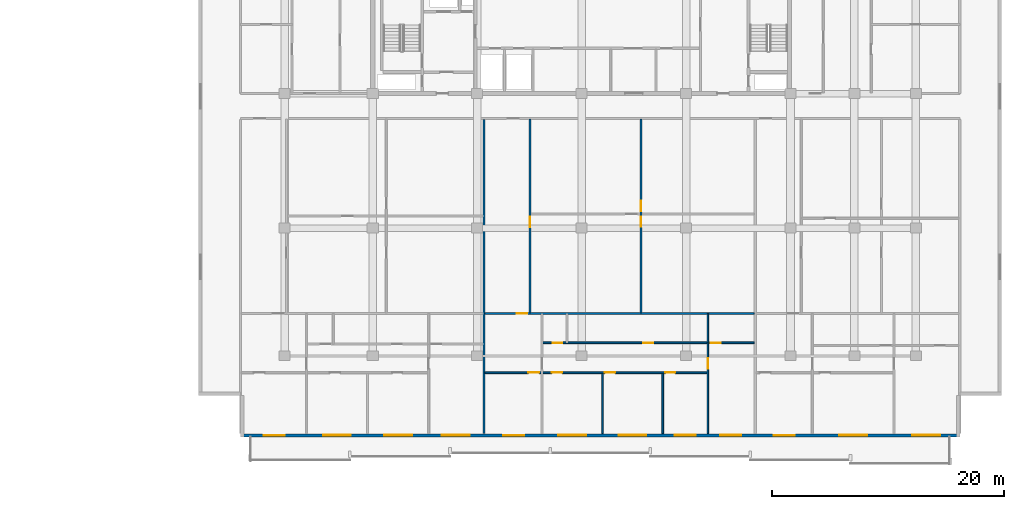
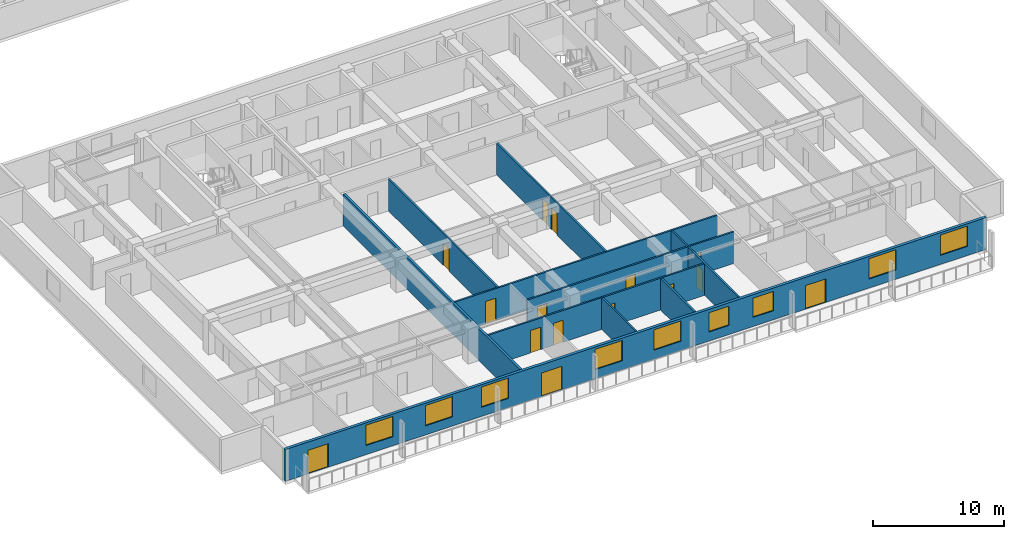
# One storey, part 4 of 23: 15 doors, 11 walls, 9 windows, 24 openings.
"""IFC4 building model written with IfcOpenShell, lengths in metres."""

import ifcopenshell
import ifcopenshell.guid

model = None  # the IFC model being written
_history = None  # IfcOwnerHistory: only IFC2X3 demands one
_inside = {}  # id of a spatial element -> (the spatial element, [elements in it])
_under = {}  # id of a project, library or spatial element -> (it, [spatial elements below it])
_declared = {}  # id of a project -> (the project, [libraries it declares])
_typed = {}  # id of a type object -> (the type object, [elements of that type])
_made_of = {}  # id of a material, layer set ... -> (it, [elements and type objects made of it])


def new_model(schema):
    """Start an empty IFC model of exactly this schema.

    Asked for "IFC4X3", IfcOpenShell would pick the latest addendum, in which some entities
    have other attributes; the version numbers below select the first issue.
    IFC2X3 requires an IfcOwnerHistory on every rooted entity: one is made here for all.
    """
    global model, _history
    if schema == "IFC4X3":
        model = ifcopenshell.file(schema_version=(4, 3, 0, 0))
    else:
        model = ifcopenshell.file(schema=schema)
    _inside.clear()
    _under.clear()
    _declared.clear()
    _typed.clear()
    _made_of.clear()
    _history = None
    if model.schema == "IFC2X3":
        org = make("IfcOrganization", Name="unknown")
        user = make(
            "IfcPersonAndOrganization",
            ThePerson=make("IfcPerson", FamilyName="unknown"),
            TheOrganization=org,
        )
        app = make(
            "IfcApplication",
            ApplicationDeveloper=org,
            Version="unknown",
            ApplicationFullName="unknown",
            ApplicationIdentifier="unknown",
        )
        _history = make(
            "IfcOwnerHistory",
            OwningUser=user,
            OwningApplication=app,
            ChangeAction="ADDED",
            CreationDate=0,
        )
    return model


def make(cls, **values):
    """One entity of the class cls with the attributes given. An attribute that is None is left unset."""
    return model.create_entity(
        cls, **{name: value for name, value in values.items() if value is not None}
    )


def rooted(cls, **values):
    """An entity with a GlobalId (a new one), such as an element, a storey or a relation."""
    return make(cls, GlobalId=ifcopenshell.guid.new(), OwnerHistory=_history, **values)


def si_unit(unit_type, name, prefix=None):
    """IfcSIUnit, for example si_unit("LENGTHUNIT", "METRE", prefix="MILLI")."""
    return make("IfcSIUnit", UnitType=unit_type, Prefix=prefix, Name=name)


def assignment(units):
    """IfcUnitAssignment: the units of a project."""
    return None if units is None else make("IfcUnitAssignment", Units=units)


def point(xyz):
    """IfcCartesianPoint."""
    return None if xyz is None else make("IfcCartesianPoint", Coordinates=xyz)


def direction(xyz):
    """IfcDirection."""
    return None if xyz is None else make("IfcDirection", DirectionRatios=xyz)


def frame(location, z_axis=None, x_axis=None):
    """IfcAxis2Placement3D, a coordinate frame: its origin and axes. An axis left out is left unset."""
    return make(
        "IfcAxis2Placement3D",
        Location=point(location),
        Axis=direction(z_axis),
        RefDirection=direction(x_axis),
    )


def frame_2d(location, x_axis=None):
    """IfcAxis2Placement2D, a coordinate frame in the plane: its origin and x axis."""
    return make(
        "IfcAxis2Placement2D", Location=point(location), RefDirection=direction(x_axis)
    )


def origin():
    """The frame at (0, 0, 0) with its axes left unset."""
    return frame((0.0, 0.0, 0.0))


def place(relative_to, where):
    """IfcLocalPlacement: puts the frame where relative to a parent placement (None: the world)."""
    return make(
        "IfcLocalPlacement", PlacementRelTo=relative_to, RelativePlacement=where
    )


def context(
    kind, dimensions, precision=None, world=None, true_north=None, identifier=None
):
    """IfcGeometricRepresentationContext, for example the 3D "Model" context."""
    return make(
        "IfcGeometricRepresentationContext",
        ContextIdentifier=identifier,
        ContextType=kind,
        CoordinateSpaceDimension=dimensions,
        Precision=precision,
        WorldCoordinateSystem=world,
        TrueNorth=true_north,
    )


def subcontext(parent, identifier, kind, view, scale=None):
    """IfcGeometricRepresentationSubContext, for example "Body" below "Model"."""
    return make(
        "IfcGeometricRepresentationSubContext",
        ContextIdentifier=identifier,
        ContextType=kind,
        ParentContext=parent,
        TargetScale=scale,
        TargetView=view,
    )


def project(units=None, contexts=None):
    """IfcProject with its units and contexts."""
    return rooted(
        "IfcProject",
        Name="project",
        RepresentationContexts=contexts,
        UnitsInContext=assignment(units),
    )


def spatial(cls, under=None, at=None, **own):
    """A site, building, storey or space (cls), placed at a placement, below another one or the project."""
    s = rooted(cls, ObjectPlacement=at, **own)
    if under is not None:
        _under.setdefault(under.id(), (under, []))[1].append(s)
    return s


def profile(cls, at=None, kind="AREA", **sizes):
    """A parametric profile (cls). Its sizes go by their IFC names, for example OverallWidth=200.0."""
    return make(cls, ProfileType=kind, Position=at, **sizes)


def rectangle(**sizes):
    """IfcRectangleProfileDef."""
    return profile("IfcRectangleProfileDef", **sizes)


def extrude(swept, where, along, depth):
    """IfcExtrudedAreaSolid: the profile swept, set in the frame where, extruded along a direction by depth."""
    return make(
        "IfcExtrudedAreaSolid",
        SweptArea=swept,
        Position=where,
        ExtrudedDirection=direction(along),
        Depth=depth,
    )


def shape(context_of_items, identifier, shape_type, items):
    """IfcShapeRepresentation: the items that make up one representation, for example the "Body"."""
    return make(
        "IfcShapeRepresentation",
        ContextOfItems=context_of_items,
        RepresentationIdentifier=identifier,
        RepresentationType=shape_type,
        Items=items,
    )


def material(Name=None, Category=None):
    """IfcMaterial."""
    return make("IfcMaterial", Name=Name, Category=Category)


def layer(
    of_material, thickness, ventilated=None, Name=None, Category=None, Priority=None
):
    """IfcMaterialLayer: one layer of a wall or slab, of a material (None: an air gap)."""
    return make(
        "IfcMaterialLayer",
        Material=of_material,
        LayerThickness=thickness,
        IsVentilated=ventilated,
        Name=Name,
        Category=Category,
        Priority=Priority,
    )


def layer_set(layers, Name=None):
    """IfcMaterialLayerSet."""
    return make("IfcMaterialLayerSet", MaterialLayers=layers, LayerSetName=Name)


def made_of(thing, what):
    """Note that an element or type object is made of a material, layer set ...; save() writes the relation."""
    if what is not None:
        _made_of.setdefault(what.id(), (what, []))[1].append(thing)
    return thing


def type_object(cls, material=None, **own):
    """A type object (cls), such as IfcWallType, which elements share."""
    return made_of(rooted(cls, **own), material)


def element(
    cls,
    number,
    at=None,
    inside=None,
    cuts=None,
    type_object=None,
    material=None,
    context=None,
    identifier="Body",
    shape_type=None,
    held_by="IfcProductDefinitionShape",
    body=None,
    shapes=None,
    **own,
):
    """One element of the class cls, such as IfcWall. Its Tag is "e" and its number.

    at: its placement. inside: the storey or other place that contains it. cuts: it is an
    opening in that element (IfcRelVoidsElement). A single representation is given by context,
    identifier, shape_type and body (its items); several are given by shapes. held_by: the class
    of the entity that holds the representations. save() writes the other relations.
    """
    e = rooted(cls, Tag="e%d" % number, ObjectPlacement=at, **own)
    if body is not None:
        shapes = [shape(context, identifier, shape_type, body)]
    if shapes is not None:
        e.Representation = make(held_by, Representations=shapes)
    if inside is not None:
        _inside.setdefault(inside.id(), (inside, []))[1].append(e)
    if cuts is not None:
        rooted(
            "IfcRelVoidsElement", RelatingBuildingElement=cuts, RelatedOpeningElement=e
        )
    if type_object is not None:
        _typed.setdefault(type_object.id(), (type_object, []))[1].append(e)
    return made_of(e, material)


def fill(opening, filler):
    """IfcRelFillsElement: the door or window that sits in an opening."""
    return rooted(
        "IfcRelFillsElement",
        RelatingOpeningElement=opening,
        RelatedBuildingElement=filler,
    )


def aggregate(whole, parts):
    """IfcRelAggregates: a whole, such as a stair, and the parts it consists of."""
    return rooted("IfcRelAggregates", RelatingObject=whole, RelatedObjects=parts)


def save(model, path):
    """Write the relations noted so far, then the file.

    IfcRelAggregates (storeys below a building ...), IfcRelContainedInSpatialStructure (elements
    in a storey), IfcRelDefinesByType, IfcRelAssociatesMaterial and IfcRelDeclares: one each for
    every whole, place, type object, material and project.
    """
    for whole, parts in _under.values():
        aggregate(whole, parts)
    for where, things in _inside.values():
        rooted(
            "IfcRelContainedInSpatialStructure",
            RelatedElements=things,
            RelatingStructure=where,
        )
    for kind, things in _typed.values():
        rooted("IfcRelDefinesByType", RelatedObjects=things, RelatingType=kind)
    for what, things in _made_of.values():
        rooted("IfcRelAssociatesMaterial", RelatedObjects=things, RelatingMaterial=what)
    for by, libraries in _declared.values():
        rooted("IfcRelDeclares", RelatingContext=by, RelatedDefinitions=libraries)
    model.write(path)


model = new_model("IFC4")

# Units and contexts
model_context = context("Model", 3, precision=1e-05, world=origin(), true_north=direction((0.0, 1.0)))
body_context = subcontext(model_context, "Body", "Model", "MODEL_VIEW")
ifc_project = project(units=[si_unit("LENGTHUNIT", "METRE"), si_unit("AREAUNIT", "SQUARE_METRE"), si_unit("VOLUMEUNIT", "CUBIC_METRE"), si_unit("PLANEANGLEUNIT", "RADIAN"), si_unit("MASSUNIT", "GRAM", prefix="KILO")], contexts=[model_context])

# Site, building, storey
site_placement = place(None, origin())
site = spatial("IfcSite", under=ifc_project, at=site_placement, CompositionType="ELEMENT")
building_placement = place(site_placement, origin())
building = spatial("IfcBuilding", under=site, at=building_placement, Name="Korimba Cascade Residences", CompositionType="ELEMENT")
storey_placement = place(building_placement, frame((0.0, 0.0, 53.25)))
storey = spatial("IfcBuildingStorey", under=building, at=storey_placement, Name="L14", CompositionType="ELEMENT", Elevation=53.25)

# Wall, openings, doors, windows
ifc_material_1 = material(Name="Precast concrete C40/50", Category="concrete")
ifc_layer_1 = layer(ifc_material_1, 0.25)
ifc_layer_set_1 = layer_set([ifc_layer_1], Name="Precast concrete C40/50")
wall_type_1 = type_object("IfcWallType", Name="EW-LOG-250", PredefinedType="STANDARD", material=ifc_layer_set_1)
wall_1_placement = place(storey_placement, frame((70.699951171875, -11.050048828125, 0.0), z_axis=(0.0, 0.0, 1.0), x_axis=(1.0, 0.0, 0.0)))
wall_1 = element("IfcWall", 1, at=wall_1_placement, inside=storey, type_object=wall_type_1, Name="L14 T2 Perimeter Stone Wall E00", PredefinedType="STANDARD", context=body_context, shape_type="SweptSolid", body=[
    extrude(rectangle(XDim=62.0, YDim=0.25, at=frame_2d((31.0, 0.0))), origin(), (0.0, 0.0, 1.0), 2.969970703125),
])
opening_1_placement = place(wall_1_placement, frame((7.114501953125, 0.0, 0.85009765625)))
opening_1 = element("IfcOpeningElement", 2, at=opening_1_placement, cuts=wall_1, Name="Opening W-01", PredefinedType="OPENING", context=body_context, shape_type="SweptSolid", body=[
    extrude(rectangle(XDim=2.39990234375, YDim=1.89990234375, at=frame_2d((1.199951171875, 0.949951171875))), frame((0.0, 0.135009765625, 0.0), z_axis=(0.0, -1.0, 0.0), x_axis=(1.0, 0.0, 0.0)), (0.0, 0.0, 1.0), 0.27001953125),
])
opening_2_placement = place(wall_1_placement, frame((12.3837890625, 0.0, 0.85009765625)))
opening_2 = element("IfcOpeningElement", 3, at=opening_2_placement, cuts=wall_1, Name="Opening W-01", PredefinedType="OPENING", context=body_context, shape_type="SweptSolid", body=[
    extrude(rectangle(XDim=2.39990234375, YDim=1.89990234375, at=frame_2d((1.199951171875, 0.949951171875))), frame((0.0, 0.135009765625, 0.0), z_axis=(0.0, -1.0, 0.0), x_axis=(1.0, 0.0, 0.0)), (0.0, 0.0, 1.0), 0.27001953125),
])
opening_3_placement = place(wall_1_placement, frame((2.0, 0.0, 0.0)))
opening_3 = element("IfcOpeningElement", 4, at=opening_3_placement, cuts=wall_1, Name="Opening D-LG1", PredefinedType="OPENING", context=body_context, shape_type="SweptSolid", body=[
    extrude(rectangle(XDim=1.800048828125, YDim=2.199951171875, at=frame_2d((0.89990234375, 1.10009765625))), frame((0.0, 0.135009765625, 0.0), z_axis=(0.0, -1.0, 0.0), x_axis=(1.0, 0.0, 0.0)), (0.0, 0.0, 1.0), 0.27001953125),
])
opening_4_placement = place(wall_1_placement, frame((17.343505859375, 0.0, 0.85009765625)))
opening_4 = element("IfcOpeningElement", 5, at=opening_4_placement, cuts=wall_1, Name="Opening W-01", PredefinedType="OPENING", context=body_context, shape_type="SweptSolid", body=[
    extrude(rectangle(XDim=2.39990234375, YDim=1.89990234375, at=frame_2d((1.199951171875, 0.949951171875))), frame((0.0, 0.135009765625, 0.0), z_axis=(0.0, -1.0, 0.0), x_axis=(1.0, 0.0, 0.0)), (0.0, 0.0, 1.0), 0.27001953125),
])
opening_5_placement = place(wall_1_placement, frame((27.388427734375, 0.0, 0.85009765625)))
opening_5 = element("IfcOpeningElement", 6, at=opening_5_placement, cuts=wall_1, Name="Opening W-01", PredefinedType="OPENING", context=body_context, shape_type="SweptSolid", body=[
    extrude(rectangle(XDim=2.39990234375, YDim=1.89990234375, at=frame_2d((1.199951171875, 0.949951171875))), frame((0.0, 0.135009765625, 0.0), z_axis=(0.0, -1.0, 0.0), x_axis=(1.0, 0.0, 0.0)), (0.0, 0.0, 1.0), 0.27001953125),
])
opening_6_placement = place(wall_1_placement, frame((32.58837890625, 0.0, 0.85009765625)))
opening_6 = element("IfcOpeningElement", 7, at=opening_6_placement, cuts=wall_1, Name="Opening W-01", PredefinedType="OPENING", context=body_context, shape_type="SweptSolid", body=[
    extrude(rectangle(XDim=2.39990234375, YDim=1.89990234375, at=frame_2d((1.199951171875, 0.949951171875))), frame((0.0, 0.135009765625, 0.0), z_axis=(0.0, -1.0, 0.0), x_axis=(1.0, 0.0, 0.0)), (0.0, 0.0, 1.0), 0.27001953125),
])
opening_7_placement = place(wall_1_placement, frame((37.434326171875, 0.0, 0.85009765625)))
opening_7 = element("IfcOpeningElement", 8, at=opening_7_placement, cuts=wall_1, Name="Opening W-02", PredefinedType="OPENING", context=body_context, shape_type="SweptSolid", body=[
    extrude(rectangle(XDim=1.800048828125, YDim=1.800048828125, at=frame_2d((0.89990234375, 0.89990234375))), frame((0.0, 0.135009765625, 0.0), z_axis=(0.0, -1.0, 0.0), x_axis=(1.0, 0.0, 0.0)), (0.0, 0.0, 1.0), 0.27001953125),
])
opening_8_placement = place(wall_1_placement, frame((22.6484375, 0.0, 0.0)))
opening_8 = element("IfcOpeningElement", 9, at=opening_8_placement, cuts=wall_1, Name="Opening D-LG1", PredefinedType="OPENING", context=body_context, shape_type="SweptSolid", body=[
    extrude(rectangle(XDim=1.800048828125, YDim=2.199951171875, at=frame_2d((0.89990234375, 1.10009765625))), frame((0.0, 0.135009765625, 0.0), z_axis=(0.0, -1.0, 0.0), x_axis=(1.0, 0.0, 0.0)), (0.0, 0.0, 1.0), 0.27001953125),
])
opening_9_placement = place(wall_1_placement, frame((41.35791015625, 0.0, 0.85009765625)))
opening_9 = element("IfcOpeningElement", 10, at=opening_9_placement, cuts=wall_1, Name="Opening W-02", PredefinedType="OPENING", context=body_context, shape_type="SweptSolid", body=[
    extrude(rectangle(XDim=1.800048828125, YDim=1.800048828125, at=frame_2d((0.89990234375, 0.89990234375))), frame((0.0, 0.135009765625, 0.0), z_axis=(0.0, -1.0, 0.0), x_axis=(1.0, 0.0, 0.0)), (0.0, 0.0, 1.0), 0.27001953125),
])
opening_10_placement = place(wall_1_placement, frame((51.60009765625, 0.0, 0.85009765625)))
opening_10 = element("IfcOpeningElement", 11, at=opening_10_placement, cuts=wall_1, Name="Opening W-01", PredefinedType="OPENING", context=body_context, shape_type="SweptSolid", body=[
    extrude(rectangle(XDim=2.39990234375, YDim=1.89990234375, at=frame_2d((1.199951171875, 0.949951171875))), frame((0.0, 0.135009765625, 0.0), z_axis=(0.0, -1.0, 0.0), x_axis=(1.0, 0.0, 0.0)), (0.0, 0.0, 1.0), 0.27001953125),
])
opening_11_placement = place(wall_1_placement, frame((45.977783203125, 0.0, 0.0)))
opening_11 = element("IfcOpeningElement", 12, at=opening_11_placement, cuts=wall_1, Name="Opening D-LG1", PredefinedType="OPENING", context=body_context, shape_type="SweptSolid", body=[
    extrude(rectangle(XDim=1.800048828125, YDim=2.199951171875, at=frame_2d((0.89990234375, 1.10009765625))), frame((0.0, 0.135009765625, 0.0), z_axis=(0.0, -1.0, 0.0), x_axis=(1.0, 0.0, 0.0)), (0.0, 0.0, 1.0), 0.27001953125),
])
opening_12_placement = place(wall_1_placement, frame((57.89990234375, 0.0, 0.85009765625)))
opening_12 = element("IfcOpeningElement", 13, at=opening_12_placement, cuts=wall_1, Name="Opening W-01", PredefinedType="OPENING", context=body_context, shape_type="SweptSolid", body=[
    extrude(rectangle(XDim=2.39990234375, YDim=1.89990234375, at=frame_2d((1.199951171875, 0.949951171875))), frame((0.0, 0.135009765625, 0.0), z_axis=(0.0, -1.0, 0.0), x_axis=(1.0, 0.0, 0.0)), (0.0, 0.0, 1.0), 0.27001953125),
])
ifc_material_2 = material(Name="Glazed Aluminium Loggia Sliding Door", Category="aluminium")
door_type_1 = type_object("IfcDoorType", Name="DR-EXT-LOG", OperationType="NOTDEFINED", PredefinedType="DOOR", material=ifc_material_2)
door_1_placement = place(opening_3_placement, origin())
door_1 = element("IfcDoor", 14, at=door_1_placement, inside=storey, type_object=door_type_1, Name="L14 T2 Loggia Sliding Door 5", OperationType="SLIDING_TO_RIGHT", OverallHeight=2.199951171875, OverallWidth=1.800048828125, PredefinedType="DOOR", context=body_context, shape_type="SweptSolid", body=[
    extrude(rectangle(XDim=1.800048828125, YDim=2.199951171875, at=frame_2d((0.89990234375, 1.10009765625))), frame((0.0, 0.02490234375, 0.0), z_axis=(0.0, -1.0, 0.0), x_axis=(1.0, 0.0, 0.0)), (0.0, 0.0, 1.0), 0.050048828125),
])
fill(opening_3, door_1)
door_2_placement = place(opening_8_placement, origin())
door_2 = element("IfcDoor", 15, at=door_2_placement, inside=storey, type_object=door_type_1, Name="L14 T2 Loggia Sliding Door 10", OperationType="SLIDING_TO_RIGHT", OverallHeight=2.199951171875, OverallWidth=1.800048828125, PredefinedType="DOOR", context=body_context, shape_type="SweptSolid", body=[
    extrude(rectangle(XDim=1.800048828125, YDim=2.199951171875, at=frame_2d((0.89990234375, 1.10009765625))), frame((0.0, 0.02490234375, 0.0), z_axis=(0.0, -1.0, 0.0), x_axis=(1.0, 0.0, 0.0)), (0.0, 0.0, 1.0), 0.050048828125),
])
fill(opening_8, door_2)
door_3_placement = place(opening_11_placement, origin())
door_3 = element("IfcDoor", 16, at=door_3_placement, inside=storey, type_object=door_type_1, Name="L14 T2 Loggia Sliding Door 13", OperationType="SLIDING_TO_RIGHT", OverallHeight=2.199951171875, OverallWidth=1.800048828125, PredefinedType="DOOR", context=body_context, shape_type="SweptSolid", body=[
    extrude(rectangle(XDim=1.800048828125, YDim=2.199951171875, at=frame_2d((0.89990234375, 1.10009765625))), frame((0.0, 0.02490234375, 0.0), z_axis=(0.0, -1.0, 0.0), x_axis=(1.0, 0.0, 0.0)), (0.0, 0.0, 1.0), 0.050048828125),
])
fill(opening_11, door_3)
ifc_material_3 = material(Name="Double-Glazed Aluminium Window", Category="aluminium")
window_type_1 = type_object("IfcWindowType", Name="WIN-BED-1800", PartitioningType="SINGLE_PANEL", PredefinedType="WINDOW", material=ifc_material_3)
window_1_placement = place(opening_7_placement, origin())
window_1 = element("IfcWindow", 17, at=window_1_placement, inside=storey, type_object=window_type_1, Name="L14 T2 South Facade Window 9", OverallHeight=1.800048828125, OverallWidth=1.800048828125, PartitioningType="SINGLE_PANEL", PredefinedType="WINDOW", context=body_context, shape_type="SweptSolid", body=[
    extrude(rectangle(XDim=1.800048828125, YDim=1.800048828125, at=frame_2d((0.89990234375, 0.89990234375))), frame((0.0, 0.030029296875, 0.0), z_axis=(0.0, -1.0, 0.0), x_axis=(1.0, 0.0, 0.0)), (0.0, 0.0, 1.0), 0.06005859375),
])
fill(opening_7, window_1)
window_2_placement = place(opening_9_placement, origin())
window_2 = element("IfcWindow", 18, at=window_2_placement, inside=storey, type_object=window_type_1, Name="L14 T2 South Facade Window 11", OverallHeight=1.800048828125, OverallWidth=1.800048828125, PartitioningType="SINGLE_PANEL", PredefinedType="WINDOW", context=body_context, shape_type="SweptSolid", body=[
    extrude(rectangle(XDim=1.800048828125, YDim=1.800048828125, at=frame_2d((0.89990234375, 0.89990234375))), frame((0.0, 0.030029296875, 0.0), z_axis=(0.0, -1.0, 0.0), x_axis=(1.0, 0.0, 0.0)), (0.0, 0.0, 1.0), 0.06005859375),
])
fill(opening_9, window_2)
window_type_2 = type_object("IfcWindowType", Name="WIN-RES-2400", PartitioningType="DOUBLE_PANEL_VERTICAL", PredefinedType="WINDOW", material=ifc_material_3)
window_3_placement = place(opening_1_placement, origin())
window_3 = element("IfcWindow", 19, at=window_3_placement, inside=storey, type_object=window_type_2, Name="L14 T2 South Facade Window 3", OverallHeight=1.89990234375, OverallWidth=2.39990234375, PartitioningType="DOUBLE_PANEL_VERTICAL", PredefinedType="WINDOW", context=body_context, shape_type="SweptSolid", body=[
    extrude(rectangle(XDim=2.39990234375, YDim=1.89990234375, at=frame_2d((1.199951171875, 0.949951171875))), frame((0.0, 0.030029296875, 0.0), z_axis=(0.0, -1.0, 0.0), x_axis=(1.0, 0.0, 0.0)), (0.0, 0.0, 1.0), 0.06005859375),
])
fill(opening_1, window_3)
window_4_placement = place(opening_2_placement, origin())
window_4 = element("IfcWindow", 20, at=window_4_placement, inside=storey, type_object=window_type_2, Name="L14 T2 South Facade Window 4", OverallHeight=1.89990234375, OverallWidth=2.39990234375, PartitioningType="DOUBLE_PANEL_VERTICAL", PredefinedType="WINDOW", context=body_context, shape_type="SweptSolid", body=[
    extrude(rectangle(XDim=2.39990234375, YDim=1.89990234375, at=frame_2d((1.199951171875, 0.949951171875))), frame((0.0, 0.030029296875, 0.0), z_axis=(0.0, -1.0, 0.0), x_axis=(1.0, 0.0, 0.0)), (0.0, 0.0, 1.0), 0.06005859375),
])
fill(opening_2, window_4)
window_5_placement = place(opening_4_placement, origin())
window_5 = element("IfcWindow", 21, at=window_5_placement, inside=storey, type_object=window_type_2, Name="L14 T2 South Facade Window 6", OverallHeight=1.89990234375, OverallWidth=2.39990234375, PartitioningType="DOUBLE_PANEL_VERTICAL", PredefinedType="WINDOW", context=body_context, shape_type="SweptSolid", body=[
    extrude(rectangle(XDim=2.39990234375, YDim=1.89990234375, at=frame_2d((1.199951171875, 0.949951171875))), frame((0.0, 0.030029296875, 0.0), z_axis=(0.0, -1.0, 0.0), x_axis=(1.0, 0.0, 0.0)), (0.0, 0.0, 1.0), 0.06005859375),
])
fill(opening_4, window_5)
window_6_placement = place(opening_5_placement, origin())
window_6 = element("IfcWindow", 22, at=window_6_placement, inside=storey, type_object=window_type_2, Name="L14 T2 South Facade Window 7", OverallHeight=1.89990234375, OverallWidth=2.39990234375, PartitioningType="DOUBLE_PANEL_VERTICAL", PredefinedType="WINDOW", context=body_context, shape_type="SweptSolid", body=[
    extrude(rectangle(XDim=2.39990234375, YDim=1.89990234375, at=frame_2d((1.199951171875, 0.949951171875))), frame((0.0, 0.030029296875, 0.0), z_axis=(0.0, -1.0, 0.0), x_axis=(1.0, 0.0, 0.0)), (0.0, 0.0, 1.0), 0.06005859375),
])
fill(opening_5, window_6)
window_7_placement = place(opening_6_placement, origin())
window_7 = element("IfcWindow", 23, at=window_7_placement, inside=storey, type_object=window_type_2, Name="L14 T2 South Facade Window 8", OverallHeight=1.89990234375, OverallWidth=2.39990234375, PartitioningType="DOUBLE_PANEL_VERTICAL", PredefinedType="WINDOW", context=body_context, shape_type="SweptSolid", body=[
    extrude(rectangle(XDim=2.39990234375, YDim=1.89990234375, at=frame_2d((1.199951171875, 0.949951171875))), frame((0.0, 0.030029296875, 0.0), z_axis=(0.0, -1.0, 0.0), x_axis=(1.0, 0.0, 0.0)), (0.0, 0.0, 1.0), 0.06005859375),
])
fill(opening_6, window_7)
window_8_placement = place(opening_10_placement, origin())
window_8 = element("IfcWindow", 24, at=window_8_placement, inside=storey, type_object=window_type_2, Name="L14 T2 South Facade Window 12", OverallHeight=1.89990234375, OverallWidth=2.39990234375, PartitioningType="DOUBLE_PANEL_VERTICAL", PredefinedType="WINDOW", context=body_context, shape_type="SweptSolid", body=[
    extrude(rectangle(XDim=2.39990234375, YDim=1.89990234375, at=frame_2d((1.199951171875, 0.949951171875))), frame((0.0, 0.030029296875, 0.0), z_axis=(0.0, -1.0, 0.0), x_axis=(1.0, 0.0, 0.0)), (0.0, 0.0, 1.0), 0.06005859375),
])
fill(opening_10, window_8)
window_9_placement = place(opening_12_placement, origin())
window_9 = element("IfcWindow", 25, at=window_9_placement, inside=storey, type_object=window_type_2, Name="L14 T2 South Facade Window 14", OverallHeight=1.89990234375, OverallWidth=2.39990234375, PartitioningType="DOUBLE_PANEL_VERTICAL", PredefinedType="WINDOW", context=body_context, shape_type="SweptSolid", body=[
    extrude(rectangle(XDim=2.39990234375, YDim=1.89990234375, at=frame_2d((1.199951171875, 0.949951171875))), frame((0.0, 0.030029296875, 0.0), z_axis=(0.0, -1.0, 0.0), x_axis=(1.0, 0.0, 0.0)), (0.0, 0.0, 1.0), 0.06005859375),
])
fill(opening_12, window_9)

# Wall
ifc_layer_2 = layer(ifc_material_1, 0.199951171875)
ifc_layer_set_2 = layer_set([ifc_layer_2], Name="Precast concrete C40/50")
wall_type_2 = type_object("IfcWallType", Name="WAL-IT-200", PredefinedType="PARTITIONING", material=ifc_layer_set_2)
wall_2_placement = place(storey_placement, frame((91.6884765625, -10.89990234375, 0.0), z_axis=(0.0, 0.0, 1.0), x_axis=(0.0, 1.0, 0.0)))
element("IfcWall", 26, at=wall_2_placement, inside=storey, type_object=wall_type_2, Name="L14 Partition Wall WAL-L14-T2-DEM-1", PredefinedType="PARTITIONING", context=body_context, shape_type="SweptSolid", body=[
    extrude(rectangle(XDim=27.06982421875, YDim=0.199951171875, at=frame_2d((13.534912109375, 0.0))), origin(), (0.0, 0.0, 1.0), 2.969970703125),
])

# Wall, openings, doors
ifc_material_4 = material(Name="Insulated Acoustic Stud Partition", Category="gypsum")
ifc_layer_3 = layer(ifc_material_4, 0.14990234375)
ifc_layer_set_3 = layer_set([ifc_layer_3], Name="Insulated Acoustic Stud Partition")
wall_type_3 = type_object("IfcWallType", Name="WAL-PART-150", PredefinedType="PARTITIONING", material=ifc_layer_set_3)
wall_3_placement = place(storey_placement, frame((105.227294921875, -0.510009765625, 0.0), z_axis=(0.0, 0.0, 1.0), x_axis=(0.0, 1.0, 0.0)))
wall_3 = element("IfcWall", 27, at=wall_3_placement, inside=storey, type_object=wall_type_3, Name="L14 Partition Wall WAL-L14-T2-U02-FMV", PredefinedType="PARTITIONING", context=body_context, shape_type="SweptSolid", body=[
    extrude(rectangle(XDim=16.699951171875, YDim=0.14990234375, at=frame_2d((8.35009765625, 0.0))), origin(), (0.0, 0.0, 1.0), 2.969970703125),
])
opening_13_placement = place(wall_3_placement, frame((7.43994140625, 0.0, 0.0)))
opening_13 = element("IfcOpeningElement", 28, at=opening_13_placement, cuts=wall_3, Name="Opening D-BT1", PredefinedType="OPENING", context=body_context, shape_type="SweptSolid", body=[
    extrude(rectangle(XDim=0.840087890625, YDim=2.0400390625, at=frame_2d((0.419921875, 1.02001953125))), frame((0.0, 0.0849609375, 0.0), z_axis=(0.0, -1.0, 0.0), x_axis=(1.0, 0.0, 0.0)), (0.0, 0.0, 1.0), 0.169921875),
])
opening_14_placement = place(wall_3_placement, frame((8.780029296875, 0.0, 0.0)))
opening_14 = element("IfcOpeningElement", 29, at=opening_14_placement, cuts=wall_3, Name="Opening D-IN2", PredefinedType="OPENING", context=body_context, shape_type="SweptSolid", body=[
    extrude(rectangle(XDim=0.8798828125, YDim=2.06005859375, at=frame_2d((0.43994140625, 1.030029296875))), frame((0.0, 0.0849609375, 0.0), z_axis=(0.0, -1.0, 0.0), x_axis=(1.0, 0.0, 0.0)), (0.0, 0.0, 1.0), 0.169921875),
])
ifc_material_5 = material(Name="Moisture-Resistant Bathroom Timber Door", Category="wood")
door_type_2 = type_object("IfcDoorType", Name="DR-INT-850", OperationType="NOTDEFINED", PredefinedType="DOOR", material=ifc_material_5)
door_4_placement = place(opening_13_placement, origin())
door_4 = element("IfcDoor", 30, at=door_4_placement, inside=storey, type_object=door_type_2, Name="L14-T2-U02 Wardrobe Door", OperationType="SINGLE_SWING_RIGHT", OverallHeight=2.0400390625, OverallWidth=0.840087890625, PredefinedType="DOOR", context=body_context, shape_type="SweptSolid", body=[
    extrude(rectangle(XDim=0.840087890625, YDim=2.0400390625, at=frame_2d((0.419921875, 1.02001953125))), frame((0.0, 0.02490234375, 0.0), z_axis=(0.0, -1.0, 0.0), x_axis=(1.0, 0.0, 0.0)), (0.0, 0.0, 1.0), 0.050048828125),
])
fill(opening_13, door_4)
ifc_material_6 = material(Name="Acoustic Timber Bedroom Door", Category="wood")
door_type_3 = type_object("IfcDoorType", Name="DR-INT-880", OperationType="NOTDEFINED", PredefinedType="DOOR", material=ifc_material_6)
door_5_placement = place(opening_14_placement, origin())
door_5 = element("IfcDoor", 31, at=door_5_placement, inside=storey, type_object=door_type_3, Name="L14-T2-U02 Music Lounge Door", OperationType="SINGLE_SWING_LEFT", OverallHeight=2.06005859375, OverallWidth=0.8798828125, PredefinedType="DOOR", context=body_context, shape_type="SweptSolid", body=[
    extrude(rectangle(XDim=0.8798828125, YDim=2.06005859375, at=frame_2d((0.43994140625, 1.030029296875))), frame((0.0, 0.02490234375, 0.0), z_axis=(0.0, -1.0, 0.0), x_axis=(1.0, 0.0, 0.0)), (0.0, 0.0, 1.0), 0.050048828125),
])
fill(opening_14, door_5)

# Wall, opening, door
wall_4_placement = place(storey_placement, frame((95.658447265625, -0.510009765625, 0.0), z_axis=(0.0, 0.0, 1.0), x_axis=(0.0, 1.0, 0.0)))
wall_4 = element("IfcWall", 32, at=wall_4_placement, inside=storey, type_object=wall_type_3, Name="L14 Partition Wall WAL-L14-T2-U02-FV", PredefinedType="PARTITIONING", context=body_context, shape_type="SweptSolid", body=[
    extrude(rectangle(XDim=16.699951171875, YDim=0.14990234375, at=frame_2d((8.35009765625, 0.0))), origin(), (0.0, 0.0, 1.0), 2.969970703125),
])
opening_15_placement = place(wall_4_placement, frame((7.39990234375, 0.0, 0.0)))
opening_15 = element("IfcOpeningElement", 33, at=opening_15_placement, cuts=wall_4, Name="Opening D-IN2", PredefinedType="OPENING", context=body_context, shape_type="SweptSolid", body=[
    extrude(rectangle(XDim=0.8798828125, YDim=2.06005859375, at=frame_2d((0.43994140625, 1.030029296875))), frame((0.0, 0.0849609375, 0.0), z_axis=(0.0, -1.0, 0.0), x_axis=(1.0, 0.0, 0.0)), (0.0, 0.0, 1.0), 0.169921875),
])
door_6_placement = place(opening_15_placement, origin())
door_6 = element("IfcDoor", 34, at=door_6_placement, inside=storey, type_object=door_type_3, Name="L14-T2-U02 Media Lounge Door", OperationType="SINGLE_SWING_LEFT", OverallHeight=2.06005859375, OverallWidth=0.8798828125, PredefinedType="DOOR", context=body_context, shape_type="SweptSolid", body=[
    extrude(rectangle(XDim=0.8798828125, YDim=2.06005859375, at=frame_2d((0.43994140625, 1.030029296875))), frame((0.0, 0.02490234375, 0.0), z_axis=(0.0, -1.0, 0.0), x_axis=(1.0, 0.0, 0.0)), (0.0, 0.0, 1.0), 0.050048828125),
])
fill(opening_15, door_6)

# Walls
for number, where, z_axis, x_axis, name in (
    (35, (101.888427734375, -10.89990234375, 0.0), (0.0, 0.0, 1.0), (0.0, 1.0, 0.0), "L14 Partition Wall WAL-L14-T2-U02-VB2"),
    (36, (107.08837890625, -10.89990234375, 0.0), (0.0, 0.0, 1.0), (0.0, 1.0, 0.0), "L14 Partition Wall WAL-L14-T2-U02-VB3"),
):
    element("IfcWall", number, at=place(storey_placement, frame(where, z_axis=z_axis, x_axis=x_axis)), inside=storey, type_object=wall_type_3, Name=name, PredefinedType="PARTITIONING", context=body_context, shape_type="SweptSolid", body=[
        extrude(rectangle(XDim=5.169921875, YDim=0.14990234375, at=frame_2d((2.5849609375, 0.0))), origin(), (0.0, 0.0, 1.0), 2.969970703125),
    ])
wall_5_placement = place(storey_placement, frame((110.97998046875, -3.06005859375, 0.0), z_axis=(0.0, 0.0, 1.0), x_axis=(0.0, 1.0, 0.0)))
element("IfcWall", 37, at=wall_5_placement, inside=storey, type_object=wall_type_3, Name="L14 Partition Wall WAL-L14-T2-U02-VBATH", PredefinedType="PARTITIONING", context=body_context, shape_type="SweptSolid", body=[
    extrude(rectangle(XDim=2.469970703125, YDim=0.14990234375, at=frame_2d((1.23486328125, 0.0))), origin(), (0.0, 0.0, 1.0), 2.969970703125),
])

# Wall, opening, door
wall_6_placement = place(storey_placement, frame((110.97998046875, -10.89990234375, 0.0), z_axis=(0.0, 0.0, 1.0), x_axis=(0.0, 1.0, 0.0)))
wall_6 = element("IfcWall", 38, at=wall_6_placement, inside=storey, type_object=wall_type_3, Name="L14 Partition Wall WAL-L14-T2-U02-V2FULL", PredefinedType="PARTITIONING", context=body_context, shape_type="SweptSolid", body=[
    extrude(rectangle(XDim=7.7998046875, YDim=0.14990234375, at=frame_2d((3.89990234375, 0.0))), origin(), (0.0, 0.0, 1.0), 2.969970703125),
])
opening_16_placement = place(wall_6_placement, frame((5.570068359375, 0.0, 0.0)))
opening_16 = element("IfcOpeningElement", 39, at=opening_16_placement, cuts=wall_6, Name="Opening D-IN1", PredefinedType="OPENING", context=body_context, shape_type="SweptSolid", body=[
    extrude(rectangle(XDim=0.919921875, YDim=2.080078125, at=frame_2d((0.4599609375, 1.0400390625))), frame((0.0, 0.0849609375, 0.0), z_axis=(0.0, -1.0, 0.0), x_axis=(1.0, 0.0, 0.0)), (0.0, 0.0, 1.0), 0.169921875),
])
ifc_material_7 = material(Name="Acoustic Timber Living Door", Category="wood")
door_type_4 = type_object("IfcDoorType", Name="DR-INT-920", OperationType="NOTDEFINED", PredefinedType="DOOR", material=ifc_material_7)
door_7_placement = place(opening_16_placement, origin())
door_7 = element("IfcDoor", 40, at=door_7_placement, inside=storey, type_object=door_type_4, Name="L14-T2-U02 Master Bedroom Door", OperationType="SINGLE_SWING_LEFT", OverallHeight=2.080078125, OverallWidth=0.919921875, PredefinedType="DOOR", context=body_context, shape_type="SweptSolid", body=[
    extrude(rectangle(XDim=0.919921875, YDim=2.080078125, at=frame_2d((0.4599609375, 1.0400390625))), frame((0.0, 0.02490234375, 0.0), z_axis=(0.0, -1.0, 0.0), x_axis=(1.0, 0.0, 0.0)), (0.0, 0.0, 1.0), 0.050048828125),
])
fill(opening_16, door_7)

# Wall, openings, doors
wall_7_placement = place(storey_placement, frame((96.728515625, -3.080078125, 0.0), z_axis=(0.0, 0.0, 1.0), x_axis=(1.0, 0.0, 0.0)))
wall_7 = element("IfcWall", 41, at=wall_7_placement, inside=storey, type_object=wall_type_3, Name="L14 Partition Wall WAL-L14-T2-U02-HWALL", PredefinedType="PARTITIONING", context=body_context, shape_type="SweptSolid", body=[
    extrude(rectangle(XDim=18.247314453125, YDim=0.14990234375, at=frame_2d((9.12353515625, 0.0))), origin(), (0.0, 0.0, 1.0), 2.969970703125),
])
opening_17_placement = place(wall_7_placement, frame((0.8740234375, 0.0, 0.0)))
opening_17 = element("IfcOpeningElement", 42, at=opening_17_placement, cuts=wall_7, Name="Opening D-BT1", PredefinedType="OPENING", context=body_context, shape_type="SweptSolid", body=[
    extrude(rectangle(XDim=0.840087890625, YDim=2.0400390625, at=frame_2d((0.419921875, 1.02001953125))), frame((0.0, 0.0849609375, 0.0), z_axis=(0.0, -1.0, 0.0), x_axis=(1.0, 0.0, 0.0)), (0.0, 0.0, 1.0), 0.169921875),
])
opening_18_placement = place(wall_7_placement, frame((8.70361328125, 0.0, 0.0)))
opening_18 = element("IfcOpeningElement", 43, at=opening_18_placement, cuts=wall_7, Name="Opening D-BT1", PredefinedType="OPENING", context=body_context, shape_type="SweptSolid", body=[
    extrude(rectangle(XDim=0.840087890625, YDim=2.0400390625, at=frame_2d((0.419921875, 1.02001953125))), frame((0.0, 0.0849609375, 0.0), z_axis=(0.0, -1.0, 0.0), x_axis=(1.0, 0.0, 0.0)), (0.0, 0.0, 1.0), 0.169921875),
])
opening_19_placement = place(wall_7_placement, frame((14.50146484375, 0.0, 0.0)))
opening_19 = element("IfcOpeningElement", 44, at=opening_19_placement, cuts=wall_7, Name="Opening D-BT1", PredefinedType="OPENING", context=body_context, shape_type="SweptSolid", body=[
    extrude(rectangle(XDim=0.840087890625, YDim=2.0400390625, at=frame_2d((0.419921875, 1.02001953125))), frame((0.0, 0.0849609375, 0.0), z_axis=(0.0, -1.0, 0.0), x_axis=(1.0, 0.0, 0.0)), (0.0, 0.0, 1.0), 0.169921875),
])
door_8_placement = place(opening_17_placement, origin())
door_8 = element("IfcDoor", 45, at=door_8_placement, inside=storey, type_object=door_type_2, Name="L14-T2-U02 Family Bathroom Door", OperationType="SINGLE_SWING_RIGHT", OverallHeight=2.0400390625, OverallWidth=0.840087890625, PredefinedType="DOOR", context=body_context, shape_type="SweptSolid", body=[
    extrude(rectangle(XDim=0.840087890625, YDim=2.0400390625, at=frame_2d((0.419921875, 1.02001953125))), frame((0.0, 0.02490234375, 0.0), z_axis=(0.0, -1.0, 0.0), x_axis=(1.0, 0.0, 0.0)), (0.0, 0.0, 1.0), 0.050048828125),
])
fill(opening_17, door_8)
door_9_placement = place(opening_18_placement, origin())
door_9 = element("IfcDoor", 46, at=door_9_placement, inside=storey, type_object=door_type_2, Name="L14-T2-U02 Dressing Room Door", OperationType="SINGLE_SWING_LEFT", OverallHeight=2.0400390625, OverallWidth=0.840087890625, PredefinedType="DOOR", context=body_context, shape_type="SweptSolid", body=[
    extrude(rectangle(XDim=0.840087890625, YDim=2.0400390625, at=frame_2d((0.419921875, 1.02001953125))), frame((0.0, 0.02490234375, 0.0), z_axis=(0.0, -1.0, 0.0), x_axis=(1.0, 0.0, 0.0)), (0.0, 0.0, 1.0), 0.050048828125),
])
fill(opening_18, door_9)
door_10_placement = place(opening_19_placement, origin())
door_10 = element("IfcDoor", 47, at=door_10_placement, inside=storey, type_object=door_type_2, Name="L14-T2-U02 En-Suite Door", OperationType="SINGLE_SWING_RIGHT", OverallHeight=2.0400390625, OverallWidth=0.840087890625, PredefinedType="DOOR", context=body_context, shape_type="SweptSolid", body=[
    extrude(rectangle(XDim=0.840087890625, YDim=2.0400390625, at=frame_2d((0.419921875, 1.02001953125))), frame((0.0, 0.02490234375, 0.0), z_axis=(0.0, -1.0, 0.0), x_axis=(1.0, 0.0, 0.0)), (0.0, 0.0, 1.0), 0.050048828125),
])
fill(opening_19, door_10)

# Wall, opening, door
wall_8_placement = place(storey_placement, frame((91.7685546875, -0.550048828125, 0.0), z_axis=(0.0, 0.0, 1.0), x_axis=(1.0, 0.0, 0.0)))
wall_8 = element("IfcWall", 48, at=wall_8_placement, inside=storey, type_object=wall_type_3, Name="L14 Partition Wall WAL-L14-T2-U02-MW", PredefinedType="PARTITIONING", context=body_context, shape_type="SweptSolid", body=[
    extrude(rectangle(XDim=23.207275390625, YDim=0.14990234375, at=frame_2d((11.603515625, 0.0))), origin(), (0.0, 0.0, 1.0), 2.969970703125),
])
opening_20_placement = place(wall_8_placement, frame((2.719970703125, 0.0, 0.0)))
opening_20 = element("IfcOpeningElement", 49, at=opening_20_placement, cuts=wall_8, Name="Opening D-IN1", PredefinedType="OPENING", context=body_context, shape_type="SweptSolid", body=[
    extrude(rectangle(XDim=0.919921875, YDim=2.080078125, at=frame_2d((0.4599609375, 1.0400390625))), frame((0.0, 0.0849609375, 0.0), z_axis=(0.0, -1.0, 0.0), x_axis=(1.0, 0.0, 0.0)), (0.0, 0.0, 1.0), 0.169921875),
])
door_11_placement = place(opening_20_placement, origin())
door_11 = element("IfcDoor", 50, at=door_11_placement, inside=storey, type_object=door_type_4, Name="L14-T2-U02 Kitchen Door", OperationType="SINGLE_SWING_LEFT", OverallHeight=2.080078125, OverallWidth=0.919921875, PredefinedType="DOOR", context=body_context, shape_type="SweptSolid", body=[
    extrude(rectangle(XDim=0.919921875, YDim=2.080078125, at=frame_2d((0.4599609375, 1.0400390625))), frame((0.0, 0.02490234375, 0.0), z_axis=(0.0, -1.0, 0.0), x_axis=(1.0, 0.0, 0.0)), (0.0, 0.0, 1.0), 0.050048828125),
])
fill(opening_20, door_11)

# Wall, openings, doors
wall_9_placement = place(storey_placement, frame((91.7685546875, -5.64990234375, 0.0), z_axis=(0.0, 0.0, 1.0), x_axis=(1.0, 0.0, 0.0)))
wall_9 = element("IfcWall", 51, at=wall_9_placement, inside=storey, type_object=wall_type_3, Name="L14 Partition Wall WAL-L14-T2-U02-HZ", PredefinedType="PARTITIONING", context=body_context, shape_type="SweptSolid", body=[
    extrude(rectangle(XDim=19.21142578125, YDim=0.14990234375, at=frame_2d((9.605712890625, 0.0))), origin(), (0.0, 0.0, 1.0), 2.969970703125),
])
opening_21_placement = place(wall_9_placement, frame((3.72998046875, 0.0, 0.0)))
opening_21 = element("IfcOpeningElement", 52, at=opening_21_placement, cuts=wall_9, Name="Opening D-IN0", PredefinedType="OPENING", context=body_context, shape_type="SweptSolid", body=[
    extrude(rectangle(XDim=0.93994140625, YDim=2.10009765625, at=frame_2d((0.469970703125, 1.050048828125))), frame((0.0, 0.0849609375, 0.0), z_axis=(0.0, -1.0, 0.0), x_axis=(1.0, 0.0, 0.0)), (0.0, 0.0, 1.0), 0.169921875),
])
opening_22_placement = place(wall_9_placement, frame((5.7607421875, 0.0, 0.0)))
opening_22 = element("IfcOpeningElement", 53, at=opening_22_placement, cuts=wall_9, Name="Opening D-IN2", PredefinedType="OPENING", context=body_context, shape_type="SweptSolid", body=[
    extrude(rectangle(XDim=0.8798828125, YDim=2.06005859375, at=frame_2d((0.43994140625, 1.030029296875))), frame((0.0, 0.0849609375, 0.0), z_axis=(0.0, -1.0, 0.0), x_axis=(1.0, 0.0, 0.0)), (0.0, 0.0, 1.0), 0.169921875),
])
opening_23_placement = place(wall_9_placement, frame((10.340087890625, 0.0, 0.0)))
opening_23 = element("IfcOpeningElement", 54, at=opening_23_placement, cuts=wall_9, Name="Opening D-IN2", PredefinedType="OPENING", context=body_context, shape_type="SweptSolid", body=[
    extrude(rectangle(XDim=0.8798828125, YDim=2.06005859375, at=frame_2d((0.43994140625, 1.030029296875))), frame((0.0, 0.0849609375, 0.0), z_axis=(0.0, -1.0, 0.0), x_axis=(1.0, 0.0, 0.0)), (0.0, 0.0, 1.0), 0.169921875),
])
opening_24_placement = place(wall_9_placement, frame((15.5400390625, 0.0, 0.0)))
opening_24 = element("IfcOpeningElement", 55, at=opening_24_placement, cuts=wall_9, Name="Opening D-IN2", PredefinedType="OPENING", context=body_context, shape_type="SweptSolid", body=[
    extrude(rectangle(XDim=0.8798828125, YDim=2.06005859375, at=frame_2d((0.43994140625, 1.030029296875))), frame((0.0, 0.0849609375, 0.0), z_axis=(0.0, -1.0, 0.0), x_axis=(1.0, 0.0, 0.0)), (0.0, 0.0, 1.0), 0.169921875),
])
door_12_placement = place(opening_22_placement, origin())
door_12 = element("IfcDoor", 56, at=door_12_placement, inside=storey, type_object=door_type_3, Name="L14-T2-U02 Bedroom 2 Door", OperationType="SINGLE_SWING_LEFT", OverallHeight=2.06005859375, OverallWidth=0.8798828125, PredefinedType="DOOR", context=body_context, shape_type="SweptSolid", body=[
    extrude(rectangle(XDim=0.8798828125, YDim=2.06005859375, at=frame_2d((0.43994140625, 1.030029296875))), frame((0.0, 0.02490234375, 0.0), z_axis=(0.0, -1.0, 0.0), x_axis=(1.0, 0.0, 0.0)), (0.0, 0.0, 1.0), 0.050048828125),
])
fill(opening_22, door_12)
door_13_placement = place(opening_23_placement, origin())
door_13 = element("IfcDoor", 57, at=door_13_placement, inside=storey, type_object=door_type_3, Name="L14-T2-U02 Bedroom 3 Door", OperationType="SINGLE_SWING_RIGHT", OverallHeight=2.06005859375, OverallWidth=0.8798828125, PredefinedType="DOOR", context=body_context, shape_type="SweptSolid", body=[
    extrude(rectangle(XDim=0.8798828125, YDim=2.06005859375, at=frame_2d((0.43994140625, 1.030029296875))), frame((0.0, 0.02490234375, 0.0), z_axis=(0.0, -1.0, 0.0), x_axis=(1.0, 0.0, 0.0)), (0.0, 0.0, 1.0), 0.050048828125),
])
fill(opening_23, door_13)
door_14_placement = place(opening_24_placement, origin())
door_14 = element("IfcDoor", 58, at=door_14_placement, inside=storey, type_object=door_type_3, Name="L14-T2-U02 Study Door", OperationType="SINGLE_SWING_LEFT", OverallHeight=2.06005859375, OverallWidth=0.8798828125, PredefinedType="DOOR", context=body_context, shape_type="SweptSolid", body=[
    extrude(rectangle(XDim=0.8798828125, YDim=2.06005859375, at=frame_2d((0.43994140625, 1.030029296875))), frame((0.0, 0.02490234375, 0.0), z_axis=(0.0, -1.0, 0.0), x_axis=(1.0, 0.0, 0.0)), (0.0, 0.0, 1.0), 0.050048828125),
])
fill(opening_24, door_14)
ifc_material_8 = material(Name="Acoustic Timber Living Archway Door", Category="wood")
door_type_5 = type_object("IfcDoorType", Name="DR-INT-950", OperationType="NOTDEFINED", PredefinedType="DOOR", material=ifc_material_8)
door_15_placement = place(opening_21_placement, origin())
door_15 = element("IfcDoor", 59, at=door_15_placement, inside=storey, type_object=door_type_5, Name="L14-T2-U02 Living Room Door", OperationType="SINGLE_SWING_RIGHT", OverallHeight=2.10009765625, OverallWidth=0.93994140625, PredefinedType="DOOR", context=body_context, shape_type="SweptSolid", body=[
    extrude(rectangle(XDim=0.93994140625, YDim=2.10009765625, at=frame_2d((0.469970703125, 1.050048828125))), frame((0.0, 0.02490234375, 0.0), z_axis=(0.0, -1.0, 0.0), x_axis=(1.0, 0.0, 0.0)), (0.0, 0.0, 1.0), 0.050048828125),
])
fill(opening_21, door_15)

save(model, "model.ifc")
